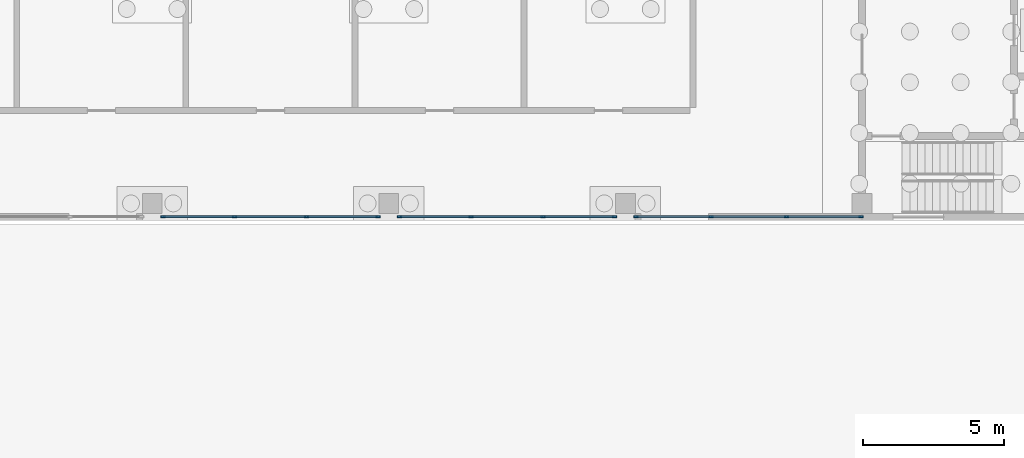
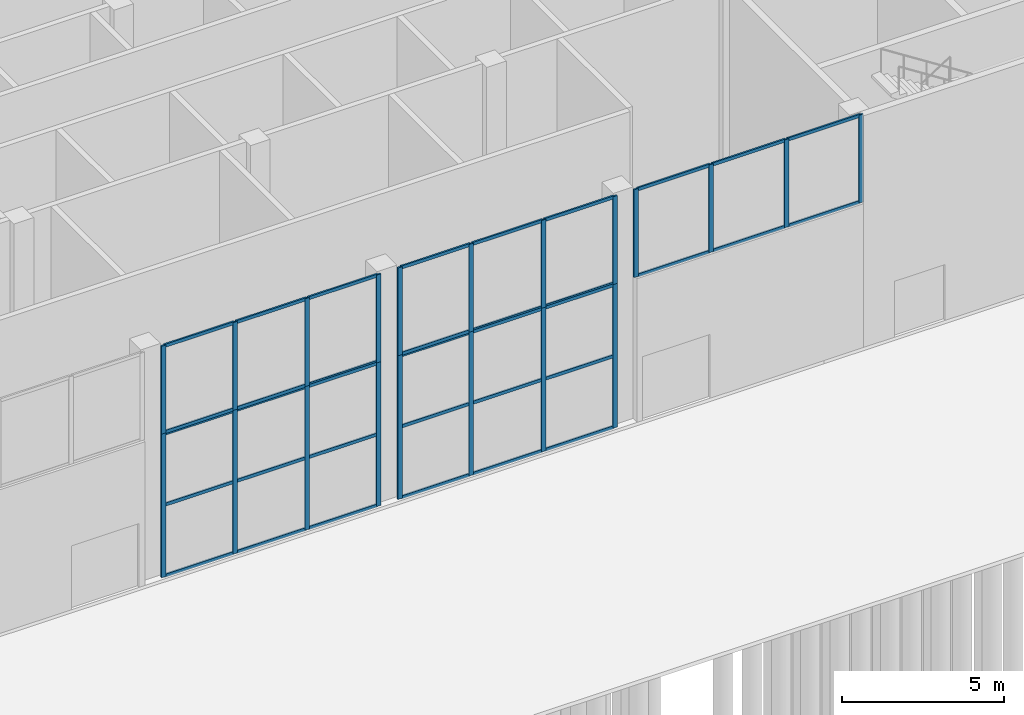
# One storey, part 9 of 46: 56 members, 5 elements without a shape of their own.
"""IFC4 building model written with IfcOpenShell, lengths in metres."""

from ifc_helpers import new_model, si_unit, direction, frame, origin, origin_2d, place, context, subcontext, project, spatial, rectangle, extrude, material, layer, layer_set, material_profile, profile_set, type_object, element, aggregate, save


model = new_model("IFC4")

# Units and contexts
model_context = context("Model", 3, precision=1e-05, world=origin(), true_north=direction((0.0, 1.0)))
body_context = subcontext(model_context, "Body", "Model", "MODEL_VIEW")
ifc_project = project(units=[si_unit("LENGTHUNIT", "METRE"), si_unit("AREAUNIT", "SQUARE_METRE"), si_unit("VOLUMEUNIT", "CUBIC_METRE"), si_unit("PLANEANGLEUNIT", "RADIAN"), si_unit("MASSUNIT", "GRAM", prefix="KILO")], contexts=[model_context])

# Site, building, storey
site_placement = place(None, origin())
site = spatial("IfcSite", under=ifc_project, at=site_placement, CompositionType="ELEMENT")
building_placement = place(site_placement, origin())
building = spatial("IfcBuilding", under=site, at=building_placement, Name="Vermilion Gate Residences", CompositionType="ELEMENT")
storey_placement = place(building_placement, origin())
storey = spatial("IfcBuildingStorey", under=building, at=storey_placement, Name="L00", CompositionType="ELEMENT", Elevation=0.0)

# Curtain wall, members
ifc_material_1 = material(Name="Aluminium and glass", Category="aluminium")
ifc_layer_1 = layer(ifc_material_1, 0.159912109375)
ifc_layer_set_1 = layer_set([ifc_layer_1], Name="SHOPFRONT CURTAIN WALL (MARKET HALL)")
curtain_wall_type_1 = type_object("IfcCurtainWallType", Name="SHOPFRONT CURTAIN WALL (MARKET HALL)", PredefinedType="NOTDEFINED", material=ifc_layer_set_1)
curtain_wall_1_placement = place(storey_placement, origin())
curtain_wall_1 = element("IfcCurtainWall", 1, at=curtain_wall_1_placement, inside=storey, type_object=curtain_wall_type_1, Name="Shopfront glazing", PredefinedType="NOTDEFINED")
ifc_material_2 = material(Name="Aluminium", Category="aluminium")
ifc_material_profile_1 = material_profile(ifc_material_2, rectangle(XDim=0.06005859375, YDim=0.159912109375, at=origin_2d()), Name="ALUMINIUM MULLION 60 X 160 (MARKET HALL)")
ifc_profile_set_1 = profile_set([ifc_material_profile_1], Name="Aluminium")
member_type_1 = type_object("IfcMemberType", Name="ALUMINIUM MULLION 60 X 160 (MARKET HALL)", PredefinedType="MULLION", material=ifc_profile_set_1)
member_1_placement = place(storey_placement, frame((84.679931640625, 0.125, 0.0), z_axis=(0.0, 0.0, 1.0), x_axis=(0.0, 1.0, 0.0)))
member_1 = element("IfcMember", 2, at=member_1_placement, type_object=member_type_1, Name="HC3 mullion 1", PredefinedType="MULLION", context=body_context, shape_type="SweptSolid", body=[
    extrude(rectangle(XDim=0.06005859375, YDim=0.159912109375, at=origin_2d()), origin(), (0.0, 0.0, 1.0), 5.39990234375),
])
member_2_placement = place(storey_placement, frame((87.216552734375, 0.125, 0.0), z_axis=(0.0, 0.0, 1.0), x_axis=(0.0, 1.0, 0.0)))
member_2 = element("IfcMember", 3, at=member_2_placement, type_object=member_type_1, Name="HC3 mullion 2", PredefinedType="MULLION", context=body_context, shape_type="SweptSolid", body=[
    extrude(rectangle(XDim=0.06005859375, YDim=0.159912109375, at=origin_2d()), origin(), (0.0, 0.0, 1.0), 5.39990234375),
])
member_3_placement = place(storey_placement, frame((89.783447265625, 0.125, 0.0), z_axis=(0.0, 0.0, 1.0), x_axis=(0.0, 1.0, 0.0)))
member_3 = element("IfcMember", 4, at=member_3_placement, type_object=member_type_1, Name="HC3 mullion 3", PredefinedType="MULLION", context=body_context, shape_type="SweptSolid", body=[
    extrude(rectangle(XDim=0.06005859375, YDim=0.159912109375, at=origin_2d()), origin(), (0.0, 0.0, 1.0), 5.39990234375),
])
member_4_placement = place(storey_placement, frame((92.320068359375, 0.125, 0.0), z_axis=(0.0, 0.0, 1.0), x_axis=(0.0, 1.0, 0.0)))
member_4 = element("IfcMember", 5, at=member_4_placement, type_object=member_type_1, Name="HC3 mullion 4", PredefinedType="MULLION", context=body_context, shape_type="SweptSolid", body=[
    extrude(rectangle(XDim=0.06005859375, YDim=0.159912109375, at=origin_2d()), origin(), (0.0, 0.0, 1.0), 5.39990234375),
])

ifc_material_3 = material(Name="Aluminium and glass", Category="aluminium")
ifc_layer_2 = layer(ifc_material_3, 0.159912109375)
ifc_layer_set_2 = layer_set([ifc_layer_2], Name="CLERESTORY CURTAIN WALL (MARKET HALL)")
curtain_wall_type_2 = type_object("IfcCurtainWallType", Name="CLERESTORY CURTAIN WALL (MARKET HALL)", PredefinedType="NOTDEFINED", material=ifc_layer_set_2)
curtain_wall_2_placement = place(storey_placement, origin())
curtain_wall_2 = element("IfcCurtainWall", 6, at=curtain_wall_2_placement, inside=storey, type_object=curtain_wall_type_2, Name="Clerestory glazing", PredefinedType="NOTDEFINED")
member_5_placement = place(storey_placement, frame((84.679931640625, 0.125, 5.39990234375), z_axis=(0.0, 0.0, 1.0), x_axis=(0.0, 1.0, 0.0)))
member_5 = element("IfcMember", 7, at=member_5_placement, type_object=member_type_1, Name="HC4 mullion 1", PredefinedType="MULLION", context=body_context, shape_type="SweptSolid", body=[
    extrude(rectangle(XDim=0.06005859375, YDim=0.159912109375, at=origin_2d()), origin(), (0.0, 0.0, 1.0), 3.300048828125),
])
member_6_placement = place(storey_placement, frame((87.216552734375, 0.125, 5.39990234375), z_axis=(0.0, 0.0, 1.0), x_axis=(0.0, 1.0, 0.0)))
member_6 = element("IfcMember", 8, at=member_6_placement, type_object=member_type_1, Name="HC4 mullion 2", PredefinedType="MULLION", context=body_context, shape_type="SweptSolid", body=[
    extrude(rectangle(XDim=0.06005859375, YDim=0.159912109375, at=origin_2d()), origin(), (0.0, 0.0, 1.0), 3.300048828125),
])
member_7_placement = place(storey_placement, frame((89.783447265625, 0.125, 5.39990234375), z_axis=(0.0, 0.0, 1.0), x_axis=(0.0, 1.0, 0.0)))
member_7 = element("IfcMember", 9, at=member_7_placement, type_object=member_type_1, Name="HC4 mullion 3", PredefinedType="MULLION", context=body_context, shape_type="SweptSolid", body=[
    extrude(rectangle(XDim=0.06005859375, YDim=0.159912109375, at=origin_2d()), origin(), (0.0, 0.0, 1.0), 3.300048828125),
])
member_8_placement = place(storey_placement, frame((92.320068359375, 0.125, 5.39990234375), z_axis=(0.0, 0.0, 1.0), x_axis=(0.0, 1.0, 0.0)))
member_8 = element("IfcMember", 10, at=member_8_placement, type_object=member_type_1, Name="HC4 mullion 4", PredefinedType="MULLION", context=body_context, shape_type="SweptSolid", body=[
    extrude(rectangle(XDim=0.06005859375, YDim=0.159912109375, at=origin_2d()), origin(), (0.0, 0.0, 1.0), 3.300048828125),
])

curtain_wall_3_placement = place(storey_placement, origin())
curtain_wall_3 = element("IfcCurtainWall", 11, at=curtain_wall_3_placement, inside=storey, type_object=curtain_wall_type_1, Name="Shopfront glazing", PredefinedType="NOTDEFINED")
member_9_placement = place(storey_placement, frame((93.080078125, 0.125, 0.0), z_axis=(0.0, 0.0, 1.0), x_axis=(0.0, 1.0, 0.0)))
member_9 = element("IfcMember", 12, at=member_9_placement, type_object=member_type_1, Name="HC3 mullion 1", PredefinedType="MULLION", context=body_context, shape_type="SweptSolid", body=[
    extrude(rectangle(XDim=0.06005859375, YDim=0.159912109375, at=origin_2d()), origin(), (0.0, 0.0, 1.0), 5.39990234375),
])
member_10_placement = place(storey_placement, frame((95.61669921875, 0.125, 0.0), z_axis=(0.0, 0.0, 1.0), x_axis=(0.0, 1.0, 0.0)))
member_10 = element("IfcMember", 13, at=member_10_placement, type_object=member_type_1, Name="HC3 mullion 2", PredefinedType="MULLION", context=body_context, shape_type="SweptSolid", body=[
    extrude(rectangle(XDim=0.06005859375, YDim=0.159912109375, at=origin_2d()), origin(), (0.0, 0.0, 1.0), 5.39990234375),
])
member_11_placement = place(storey_placement, frame((98.183349609375, 0.125, 0.0), z_axis=(0.0, 0.0, 1.0), x_axis=(0.0, 1.0, 0.0)))
member_11 = element("IfcMember", 14, at=member_11_placement, type_object=member_type_1, Name="HC3 mullion 3", PredefinedType="MULLION", context=body_context, shape_type="SweptSolid", body=[
    extrude(rectangle(XDim=0.06005859375, YDim=0.159912109375, at=origin_2d()), origin(), (0.0, 0.0, 1.0), 5.39990234375),
])
member_12_placement = place(storey_placement, frame((100.719970703125, 0.125, 0.0), z_axis=(0.0, 0.0, 1.0), x_axis=(0.0, 1.0, 0.0)))
member_12 = element("IfcMember", 15, at=member_12_placement, type_object=member_type_1, Name="HC3 mullion 4", PredefinedType="MULLION", context=body_context, shape_type="SweptSolid", body=[
    extrude(rectangle(XDim=0.06005859375, YDim=0.159912109375, at=origin_2d()), origin(), (0.0, 0.0, 1.0), 5.39990234375),
])

curtain_wall_4_placement = place(storey_placement, origin())
curtain_wall_4 = element("IfcCurtainWall", 16, at=curtain_wall_4_placement, inside=storey, type_object=curtain_wall_type_2, Name="Clerestory glazing", PredefinedType="NOTDEFINED")
member_13_placement = place(storey_placement, frame((93.080078125, 0.125, 5.39990234375), z_axis=(0.0, 0.0, 1.0), x_axis=(0.0, 1.0, 0.0)))
member_13 = element("IfcMember", 17, at=member_13_placement, type_object=member_type_1, Name="HC4 mullion 1", PredefinedType="MULLION", context=body_context, shape_type="SweptSolid", body=[
    extrude(rectangle(XDim=0.06005859375, YDim=0.159912109375, at=origin_2d()), origin(), (0.0, 0.0, 1.0), 3.300048828125),
])
member_14_placement = place(storey_placement, frame((95.61669921875, 0.125, 5.39990234375), z_axis=(0.0, 0.0, 1.0), x_axis=(0.0, 1.0, 0.0)))
member_14 = element("IfcMember", 18, at=member_14_placement, type_object=member_type_1, Name="HC4 mullion 2", PredefinedType="MULLION", context=body_context, shape_type="SweptSolid", body=[
    extrude(rectangle(XDim=0.06005859375, YDim=0.159912109375, at=origin_2d()), origin(), (0.0, 0.0, 1.0), 3.300048828125),
])
member_15_placement = place(storey_placement, frame((98.183349609375, 0.125, 5.39990234375), z_axis=(0.0, 0.0, 1.0), x_axis=(0.0, 1.0, 0.0)))
member_15 = element("IfcMember", 19, at=member_15_placement, type_object=member_type_1, Name="HC4 mullion 3", PredefinedType="MULLION", context=body_context, shape_type="SweptSolid", body=[
    extrude(rectangle(XDim=0.06005859375, YDim=0.159912109375, at=origin_2d()), origin(), (0.0, 0.0, 1.0), 3.300048828125),
])
member_16_placement = place(storey_placement, frame((100.719970703125, 0.125, 5.39990234375), z_axis=(0.0, 0.0, 1.0), x_axis=(0.0, 1.0, 0.0)))
member_16 = element("IfcMember", 20, at=member_16_placement, type_object=member_type_1, Name="HC4 mullion 4", PredefinedType="MULLION", context=body_context, shape_type="SweptSolid", body=[
    extrude(rectangle(XDim=0.06005859375, YDim=0.159912109375, at=origin_2d()), origin(), (0.0, 0.0, 1.0), 3.300048828125),
])

curtain_wall_5_placement = place(storey_placement, origin())
curtain_wall_5 = element("IfcCurtainWall", 21, at=curtain_wall_5_placement, inside=storey, type_object=curtain_wall_type_2, Name="Clerestory glazing", PredefinedType="NOTDEFINED")
member_17_placement = place(storey_placement, frame((101.47998046875, 0.125, 5.39990234375), z_axis=(0.0, 0.0, 1.0), x_axis=(0.0, 1.0, 0.0)))
member_17 = element("IfcMember", 22, at=member_17_placement, type_object=member_type_1, Name="HC4 mullion 1", PredefinedType="MULLION", context=body_context, shape_type="SweptSolid", body=[
    extrude(rectangle(XDim=0.06005859375, YDim=0.159912109375, at=origin_2d()), origin(), (0.0, 0.0, 1.0), 3.300048828125),
])
member_18_placement = place(storey_placement, frame((104.13330078125, 0.125, 5.39990234375), z_axis=(0.0, 0.0, 1.0), x_axis=(0.0, 1.0, 0.0)))
member_18 = element("IfcMember", 23, at=member_18_placement, type_object=member_type_1, Name="HC4 mullion 2", PredefinedType="MULLION", context=body_context, shape_type="SweptSolid", body=[
    extrude(rectangle(XDim=0.06005859375, YDim=0.159912109375, at=origin_2d()), origin(), (0.0, 0.0, 1.0), 3.300048828125),
])
member_19_placement = place(storey_placement, frame((106.816650390625, 0.125, 5.39990234375), z_axis=(0.0, 0.0, 1.0), x_axis=(0.0, 1.0, 0.0)))
member_19 = element("IfcMember", 24, at=member_19_placement, type_object=member_type_1, Name="HC4 mullion 3", PredefinedType="MULLION", context=body_context, shape_type="SweptSolid", body=[
    extrude(rectangle(XDim=0.06005859375, YDim=0.159912109375, at=origin_2d()), origin(), (0.0, 0.0, 1.0), 3.300048828125),
])
member_20_placement = place(storey_placement, frame((109.469970703125, 0.125, 5.39990234375), z_axis=(0.0, 0.0, 1.0), x_axis=(0.0, 1.0, 0.0)))
member_20 = element("IfcMember", 25, at=member_20_placement, type_object=member_type_1, Name="HC4 mullion 4", PredefinedType="MULLION", context=body_context, shape_type="SweptSolid", body=[
    extrude(rectangle(XDim=0.06005859375, YDim=0.159912109375, at=origin_2d()), origin(), (0.0, 0.0, 1.0), 3.300048828125),
])

# Member
ifc_material_4 = material(Name="Aluminium", Category="aluminium")
ifc_material_profile_2 = material_profile(ifc_material_4, rectangle(XDim=0.06005859375, YDim=0.1201171875, at=origin_2d()), Name="ALUMINIUM TRANSOM 60 X 120 (MARKET HALL)")
ifc_profile_set_2 = profile_set([ifc_material_profile_2], Name="Aluminium")
member_type_2 = type_object("IfcMemberType", Name="ALUMINIUM TRANSOM 60 X 120 (MARKET HALL)", PredefinedType="MULLION", material=ifc_profile_set_2)
member_21_placement = place(storey_placement, frame((84.7099609375, 0.125, 0.030029296875), z_axis=(1.0, 0.0, 0.0), x_axis=(0.0, 1.0, 0.0)))
member_21 = element("IfcMember", 26, at=member_21_placement, type_object=member_type_2, Name="HC3 transom 1.1", PredefinedType="MULLION", context=body_context, shape_type="SweptSolid", body=[
    extrude(rectangle(XDim=0.06005859375, YDim=0.1201171875, at=origin_2d()), origin(), (0.0, 0.0, 1.0), 2.476806640625),
])

member_22_placement = place(storey_placement, frame((84.7099609375, 0.125, 2.699951171875), z_axis=(1.0, 0.0, 0.0), x_axis=(0.0, 1.0, 0.0)))
member_22 = element("IfcMember", 27, at=member_22_placement, type_object=member_type_2, Name="HC3 transom 1.2", PredefinedType="MULLION", context=body_context, shape_type="SweptSolid", body=[
    extrude(rectangle(XDim=0.06005859375, YDim=0.1201171875, at=origin_2d()), origin(), (0.0, 0.0, 1.0), 2.476806640625),
])

member_23_placement = place(storey_placement, frame((84.7099609375, 0.125, 5.3701171875), z_axis=(1.0, 0.0, 0.0), x_axis=(0.0, 1.0, 0.0)))
member_23 = element("IfcMember", 28, at=member_23_placement, type_object=member_type_2, Name="HC3 transom 1.3", PredefinedType="MULLION", context=body_context, shape_type="SweptSolid", body=[
    extrude(rectangle(XDim=0.06005859375, YDim=0.1201171875, at=origin_2d()), origin(), (0.0, 0.0, 1.0), 2.476806640625),
])

member_24_placement = place(storey_placement, frame((87.24658203125, 0.125, 0.030029296875), z_axis=(1.0, 0.0, 0.0), x_axis=(0.0, 1.0, 0.0)))
member_24 = element("IfcMember", 29, at=member_24_placement, type_object=member_type_2, Name="HC3 transom 2.1", PredefinedType="MULLION", context=body_context, shape_type="SweptSolid", body=[
    extrude(rectangle(XDim=0.06005859375, YDim=0.1201171875, at=origin_2d()), origin(), (0.0, 0.0, 1.0), 2.5068359375),
])

member_25_placement = place(storey_placement, frame((87.24658203125, 0.125, 2.699951171875), z_axis=(1.0, 0.0, 0.0), x_axis=(0.0, 1.0, 0.0)))
member_25 = element("IfcMember", 30, at=member_25_placement, type_object=member_type_2, Name="HC3 transom 2.2", PredefinedType="MULLION", context=body_context, shape_type="SweptSolid", body=[
    extrude(rectangle(XDim=0.06005859375, YDim=0.1201171875, at=origin_2d()), origin(), (0.0, 0.0, 1.0), 2.5068359375),
])

member_26_placement = place(storey_placement, frame((87.24658203125, 0.125, 5.3701171875), z_axis=(1.0, 0.0, 0.0), x_axis=(0.0, 1.0, 0.0)))
member_26 = element("IfcMember", 31, at=member_26_placement, type_object=member_type_2, Name="HC3 transom 2.3", PredefinedType="MULLION", context=body_context, shape_type="SweptSolid", body=[
    extrude(rectangle(XDim=0.06005859375, YDim=0.1201171875, at=origin_2d()), origin(), (0.0, 0.0, 1.0), 2.5068359375),
])

member_27_placement = place(storey_placement, frame((89.813232421875, 0.125, 0.030029296875), z_axis=(1.0, 0.0, 0.0), x_axis=(0.0, 1.0, 0.0)))
member_27 = element("IfcMember", 32, at=member_27_placement, type_object=member_type_2, Name="HC3 transom 3.1", PredefinedType="MULLION", context=body_context, shape_type="SweptSolid", body=[
    extrude(rectangle(XDim=0.06005859375, YDim=0.1201171875, at=origin_2d()), origin(), (0.0, 0.0, 1.0), 2.476806640625),
])

member_28_placement = place(storey_placement, frame((89.813232421875, 0.125, 2.699951171875), z_axis=(1.0, 0.0, 0.0), x_axis=(0.0, 1.0, 0.0)))
member_28 = element("IfcMember", 33, at=member_28_placement, type_object=member_type_2, Name="HC3 transom 3.2", PredefinedType="MULLION", context=body_context, shape_type="SweptSolid", body=[
    extrude(rectangle(XDim=0.06005859375, YDim=0.1201171875, at=origin_2d()), origin(), (0.0, 0.0, 1.0), 2.476806640625),
])

member_29_placement = place(storey_placement, frame((89.813232421875, 0.125, 5.3701171875), z_axis=(1.0, 0.0, 0.0), x_axis=(0.0, 1.0, 0.0)))
member_29 = element("IfcMember", 34, at=member_29_placement, type_object=member_type_2, Name="HC3 transom 3.3", PredefinedType="MULLION", context=body_context, shape_type="SweptSolid", body=[
    extrude(rectangle(XDim=0.06005859375, YDim=0.1201171875, at=origin_2d()), origin(), (0.0, 0.0, 1.0), 2.476806640625),
])

aggregate(curtain_wall_1, [member_1, member_2, member_3, member_4, member_21, member_22, member_23, member_24, member_25, member_26, member_27, member_28, member_29])

member_30_placement = place(storey_placement, frame((84.7099609375, 0.125, 5.429931640625), z_axis=(1.0, 0.0, 0.0), x_axis=(0.0, 1.0, 0.0)))
member_30 = element("IfcMember", 35, at=member_30_placement, type_object=member_type_2, Name="HC4 transom 1.1", PredefinedType="MULLION", context=body_context, shape_type="SweptSolid", body=[
    extrude(rectangle(XDim=0.06005859375, YDim=0.1201171875, at=origin_2d()), origin(), (0.0, 0.0, 1.0), 2.476806640625),
])

member_31_placement = place(storey_placement, frame((84.7099609375, 0.125, 8.669921875), z_axis=(1.0, 0.0, 0.0), x_axis=(0.0, 1.0, 0.0)))
member_31 = element("IfcMember", 36, at=member_31_placement, type_object=member_type_2, Name="HC4 transom 1.2", PredefinedType="MULLION", context=body_context, shape_type="SweptSolid", body=[
    extrude(rectangle(XDim=0.06005859375, YDim=0.1201171875, at=origin_2d()), origin(), (0.0, 0.0, 1.0), 2.476806640625),
])

member_32_placement = place(storey_placement, frame((87.24658203125, 0.125, 5.429931640625), z_axis=(1.0, 0.0, 0.0), x_axis=(0.0, 1.0, 0.0)))
member_32 = element("IfcMember", 37, at=member_32_placement, type_object=member_type_2, Name="HC4 transom 2.1", PredefinedType="MULLION", context=body_context, shape_type="SweptSolid", body=[
    extrude(rectangle(XDim=0.06005859375, YDim=0.1201171875, at=origin_2d()), origin(), (0.0, 0.0, 1.0), 2.5068359375),
])

member_33_placement = place(storey_placement, frame((87.24658203125, 0.125, 8.669921875), z_axis=(1.0, 0.0, 0.0), x_axis=(0.0, 1.0, 0.0)))
member_33 = element("IfcMember", 38, at=member_33_placement, type_object=member_type_2, Name="HC4 transom 2.2", PredefinedType="MULLION", context=body_context, shape_type="SweptSolid", body=[
    extrude(rectangle(XDim=0.06005859375, YDim=0.1201171875, at=origin_2d()), origin(), (0.0, 0.0, 1.0), 2.5068359375),
])

member_34_placement = place(storey_placement, frame((89.813232421875, 0.125, 5.429931640625), z_axis=(1.0, 0.0, 0.0), x_axis=(0.0, 1.0, 0.0)))
member_34 = element("IfcMember", 39, at=member_34_placement, type_object=member_type_2, Name="HC4 transom 3.1", PredefinedType="MULLION", context=body_context, shape_type="SweptSolid", body=[
    extrude(rectangle(XDim=0.06005859375, YDim=0.1201171875, at=origin_2d()), origin(), (0.0, 0.0, 1.0), 2.476806640625),
])

member_35_placement = place(storey_placement, frame((89.813232421875, 0.125, 8.669921875), z_axis=(1.0, 0.0, 0.0), x_axis=(0.0, 1.0, 0.0)))
member_35 = element("IfcMember", 40, at=member_35_placement, type_object=member_type_2, Name="HC4 transom 3.2", PredefinedType="MULLION", context=body_context, shape_type="SweptSolid", body=[
    extrude(rectangle(XDim=0.06005859375, YDim=0.1201171875, at=origin_2d()), origin(), (0.0, 0.0, 1.0), 2.476806640625),
])

aggregate(curtain_wall_2, [member_5, member_6, member_7, member_8, member_30, member_31, member_32, member_33, member_34, member_35])

member_36_placement = place(storey_placement, frame((93.110107421875, 0.125, 0.030029296875), z_axis=(1.0, 0.0, 0.0), x_axis=(0.0, 1.0, 0.0)))
member_36 = element("IfcMember", 41, at=member_36_placement, type_object=member_type_2, Name="HC3 transom 1.1", PredefinedType="MULLION", context=body_context, shape_type="SweptSolid", body=[
    extrude(rectangle(XDim=0.06005859375, YDim=0.1201171875, at=origin_2d()), origin(), (0.0, 0.0, 1.0), 2.4765625),
])

member_37_placement = place(storey_placement, frame((93.110107421875, 0.125, 2.699951171875), z_axis=(1.0, 0.0, 0.0), x_axis=(0.0, 1.0, 0.0)))
member_37 = element("IfcMember", 42, at=member_37_placement, type_object=member_type_2, Name="HC3 transom 1.2", PredefinedType="MULLION", context=body_context, shape_type="SweptSolid", body=[
    extrude(rectangle(XDim=0.06005859375, YDim=0.1201171875, at=origin_2d()), origin(), (0.0, 0.0, 1.0), 2.4765625),
])

member_38_placement = place(storey_placement, frame((93.110107421875, 0.125, 5.3701171875), z_axis=(1.0, 0.0, 0.0), x_axis=(0.0, 1.0, 0.0)))
member_38 = element("IfcMember", 43, at=member_38_placement, type_object=member_type_2, Name="HC3 transom 1.3", PredefinedType="MULLION", context=body_context, shape_type="SweptSolid", body=[
    extrude(rectangle(XDim=0.06005859375, YDim=0.1201171875, at=origin_2d()), origin(), (0.0, 0.0, 1.0), 2.4765625),
])

member_39_placement = place(storey_placement, frame((95.646728515625, 0.125, 0.030029296875), z_axis=(1.0, 0.0, 0.0), x_axis=(0.0, 1.0, 0.0)))
member_39 = element("IfcMember", 44, at=member_39_placement, type_object=member_type_2, Name="HC3 transom 2.1", PredefinedType="MULLION", context=body_context, shape_type="SweptSolid", body=[
    extrude(rectangle(XDim=0.06005859375, YDim=0.1201171875, at=origin_2d()), origin(), (0.0, 0.0, 1.0), 2.506591796875),
])

member_40_placement = place(storey_placement, frame((95.646728515625, 0.125, 2.699951171875), z_axis=(1.0, 0.0, 0.0), x_axis=(0.0, 1.0, 0.0)))
member_40 = element("IfcMember", 45, at=member_40_placement, type_object=member_type_2, Name="HC3 transom 2.2", PredefinedType="MULLION", context=body_context, shape_type="SweptSolid", body=[
    extrude(rectangle(XDim=0.06005859375, YDim=0.1201171875, at=origin_2d()), origin(), (0.0, 0.0, 1.0), 2.506591796875),
])

member_41_placement = place(storey_placement, frame((95.646728515625, 0.125, 5.3701171875), z_axis=(1.0, 0.0, 0.0), x_axis=(0.0, 1.0, 0.0)))
member_41 = element("IfcMember", 46, at=member_41_placement, type_object=member_type_2, Name="HC3 transom 2.3", PredefinedType="MULLION", context=body_context, shape_type="SweptSolid", body=[
    extrude(rectangle(XDim=0.06005859375, YDim=0.1201171875, at=origin_2d()), origin(), (0.0, 0.0, 1.0), 2.506591796875),
])

member_42_placement = place(storey_placement, frame((98.21337890625, 0.125, 0.030029296875), z_axis=(1.0, 0.0, 0.0), x_axis=(0.0, 1.0, 0.0)))
member_42 = element("IfcMember", 47, at=member_42_placement, type_object=member_type_2, Name="HC3 transom 3.1", PredefinedType="MULLION", context=body_context, shape_type="SweptSolid", body=[
    extrude(rectangle(XDim=0.06005859375, YDim=0.1201171875, at=origin_2d()), origin(), (0.0, 0.0, 1.0), 2.4765625),
])

member_43_placement = place(storey_placement, frame((98.21337890625, 0.125, 2.699951171875), z_axis=(1.0, 0.0, 0.0), x_axis=(0.0, 1.0, 0.0)))
member_43 = element("IfcMember", 48, at=member_43_placement, type_object=member_type_2, Name="HC3 transom 3.2", PredefinedType="MULLION", context=body_context, shape_type="SweptSolid", body=[
    extrude(rectangle(XDim=0.06005859375, YDim=0.1201171875, at=origin_2d()), origin(), (0.0, 0.0, 1.0), 2.4765625),
])

member_44_placement = place(storey_placement, frame((98.21337890625, 0.125, 5.3701171875), z_axis=(1.0, 0.0, 0.0), x_axis=(0.0, 1.0, 0.0)))
member_44 = element("IfcMember", 49, at=member_44_placement, type_object=member_type_2, Name="HC3 transom 3.3", PredefinedType="MULLION", context=body_context, shape_type="SweptSolid", body=[
    extrude(rectangle(XDim=0.06005859375, YDim=0.1201171875, at=origin_2d()), origin(), (0.0, 0.0, 1.0), 2.4765625),
])

aggregate(curtain_wall_3, [member_9, member_10, member_11, member_12, member_36, member_37, member_38, member_39, member_40, member_41, member_42, member_43, member_44])

member_45_placement = place(storey_placement, frame((93.110107421875, 0.125, 5.429931640625), z_axis=(1.0, 0.0, 0.0), x_axis=(0.0, 1.0, 0.0)))
member_45 = element("IfcMember", 50, at=member_45_placement, type_object=member_type_2, Name="HC4 transom 1.1", PredefinedType="MULLION", context=body_context, shape_type="SweptSolid", body=[
    extrude(rectangle(XDim=0.06005859375, YDim=0.1201171875, at=origin_2d()), origin(), (0.0, 0.0, 1.0), 2.4765625),
])

member_46_placement = place(storey_placement, frame((93.110107421875, 0.125, 8.669921875), z_axis=(1.0, 0.0, 0.0), x_axis=(0.0, 1.0, 0.0)))
member_46 = element("IfcMember", 51, at=member_46_placement, type_object=member_type_2, Name="HC4 transom 1.2", PredefinedType="MULLION", context=body_context, shape_type="SweptSolid", body=[
    extrude(rectangle(XDim=0.06005859375, YDim=0.1201171875, at=origin_2d()), origin(), (0.0, 0.0, 1.0), 2.4765625),
])

member_47_placement = place(storey_placement, frame((95.646728515625, 0.125, 5.429931640625), z_axis=(1.0, 0.0, 0.0), x_axis=(0.0, 1.0, 0.0)))
member_47 = element("IfcMember", 52, at=member_47_placement, type_object=member_type_2, Name="HC4 transom 2.1", PredefinedType="MULLION", context=body_context, shape_type="SweptSolid", body=[
    extrude(rectangle(XDim=0.06005859375, YDim=0.1201171875, at=origin_2d()), origin(), (0.0, 0.0, 1.0), 2.506591796875),
])

member_48_placement = place(storey_placement, frame((95.646728515625, 0.125, 8.669921875), z_axis=(1.0, 0.0, 0.0), x_axis=(0.0, 1.0, 0.0)))
member_48 = element("IfcMember", 53, at=member_48_placement, type_object=member_type_2, Name="HC4 transom 2.2", PredefinedType="MULLION", context=body_context, shape_type="SweptSolid", body=[
    extrude(rectangle(XDim=0.06005859375, YDim=0.1201171875, at=origin_2d()), origin(), (0.0, 0.0, 1.0), 2.506591796875),
])

member_49_placement = place(storey_placement, frame((98.21337890625, 0.125, 5.429931640625), z_axis=(1.0, 0.0, 0.0), x_axis=(0.0, 1.0, 0.0)))
member_49 = element("IfcMember", 54, at=member_49_placement, type_object=member_type_2, Name="HC4 transom 3.1", PredefinedType="MULLION", context=body_context, shape_type="SweptSolid", body=[
    extrude(rectangle(XDim=0.06005859375, YDim=0.1201171875, at=origin_2d()), origin(), (0.0, 0.0, 1.0), 2.4765625),
])

member_50_placement = place(storey_placement, frame((98.21337890625, 0.125, 8.669921875), z_axis=(1.0, 0.0, 0.0), x_axis=(0.0, 1.0, 0.0)))
member_50 = element("IfcMember", 55, at=member_50_placement, type_object=member_type_2, Name="HC4 transom 3.2", PredefinedType="MULLION", context=body_context, shape_type="SweptSolid", body=[
    extrude(rectangle(XDim=0.06005859375, YDim=0.1201171875, at=origin_2d()), origin(), (0.0, 0.0, 1.0), 2.4765625),
])

aggregate(curtain_wall_4, [member_13, member_14, member_15, member_16, member_45, member_46, member_47, member_48, member_49, member_50])

member_51_placement = place(storey_placement, frame((101.510009765625, 0.125, 5.429931640625), z_axis=(1.0, 0.0, 0.0), x_axis=(0.0, 1.0, 0.0)))
member_51 = element("IfcMember", 56, at=member_51_placement, type_object=member_type_2, Name="HC4 transom 1.1", PredefinedType="MULLION", context=body_context, shape_type="SweptSolid", body=[
    extrude(rectangle(XDim=0.06005859375, YDim=0.1201171875, at=origin_2d()), origin(), (0.0, 0.0, 1.0), 2.59326171875),
])

member_52_placement = place(storey_placement, frame((101.510009765625, 0.125, 8.669921875), z_axis=(1.0, 0.0, 0.0), x_axis=(0.0, 1.0, 0.0)))
member_52 = element("IfcMember", 57, at=member_52_placement, type_object=member_type_2, Name="HC4 transom 1.2", PredefinedType="MULLION", context=body_context, shape_type="SweptSolid", body=[
    extrude(rectangle(XDim=0.06005859375, YDim=0.1201171875, at=origin_2d()), origin(), (0.0, 0.0, 1.0), 2.59326171875),
])

member_53_placement = place(storey_placement, frame((104.163330078125, 0.125, 5.429931640625), z_axis=(1.0, 0.0, 0.0), x_axis=(0.0, 1.0, 0.0)))
member_53 = element("IfcMember", 58, at=member_53_placement, type_object=member_type_2, Name="HC4 transom 2.1", PredefinedType="MULLION", context=body_context, shape_type="SweptSolid", body=[
    extrude(rectangle(XDim=0.06005859375, YDim=0.1201171875, at=origin_2d()), origin(), (0.0, 0.0, 1.0), 2.623291015625),
])

member_54_placement = place(storey_placement, frame((104.163330078125, 0.125, 8.669921875), z_axis=(1.0, 0.0, 0.0), x_axis=(0.0, 1.0, 0.0)))
member_54 = element("IfcMember", 59, at=member_54_placement, type_object=member_type_2, Name="HC4 transom 2.2", PredefinedType="MULLION", context=body_context, shape_type="SweptSolid", body=[
    extrude(rectangle(XDim=0.06005859375, YDim=0.1201171875, at=origin_2d()), origin(), (0.0, 0.0, 1.0), 2.623291015625),
])

member_55_placement = place(storey_placement, frame((106.8466796875, 0.125, 5.429931640625), z_axis=(1.0, 0.0, 0.0), x_axis=(0.0, 1.0, 0.0)))
member_55 = element("IfcMember", 60, at=member_55_placement, type_object=member_type_2, Name="HC4 transom 3.1", PredefinedType="MULLION", context=body_context, shape_type="SweptSolid", body=[
    extrude(rectangle(XDim=0.06005859375, YDim=0.1201171875, at=origin_2d()), origin(), (0.0, 0.0, 1.0), 2.59326171875),
])

member_56_placement = place(storey_placement, frame((106.8466796875, 0.125, 8.669921875), z_axis=(1.0, 0.0, 0.0), x_axis=(0.0, 1.0, 0.0)))
member_56 = element("IfcMember", 61, at=member_56_placement, type_object=member_type_2, Name="HC4 transom 3.2", PredefinedType="MULLION", context=body_context, shape_type="SweptSolid", body=[
    extrude(rectangle(XDim=0.06005859375, YDim=0.1201171875, at=origin_2d()), origin(), (0.0, 0.0, 1.0), 2.59326171875),
])

aggregate(curtain_wall_5, [member_17, member_18, member_19, member_20, member_51, member_52, member_53, member_54, member_55, member_56])

save(model, "model.ifc")
